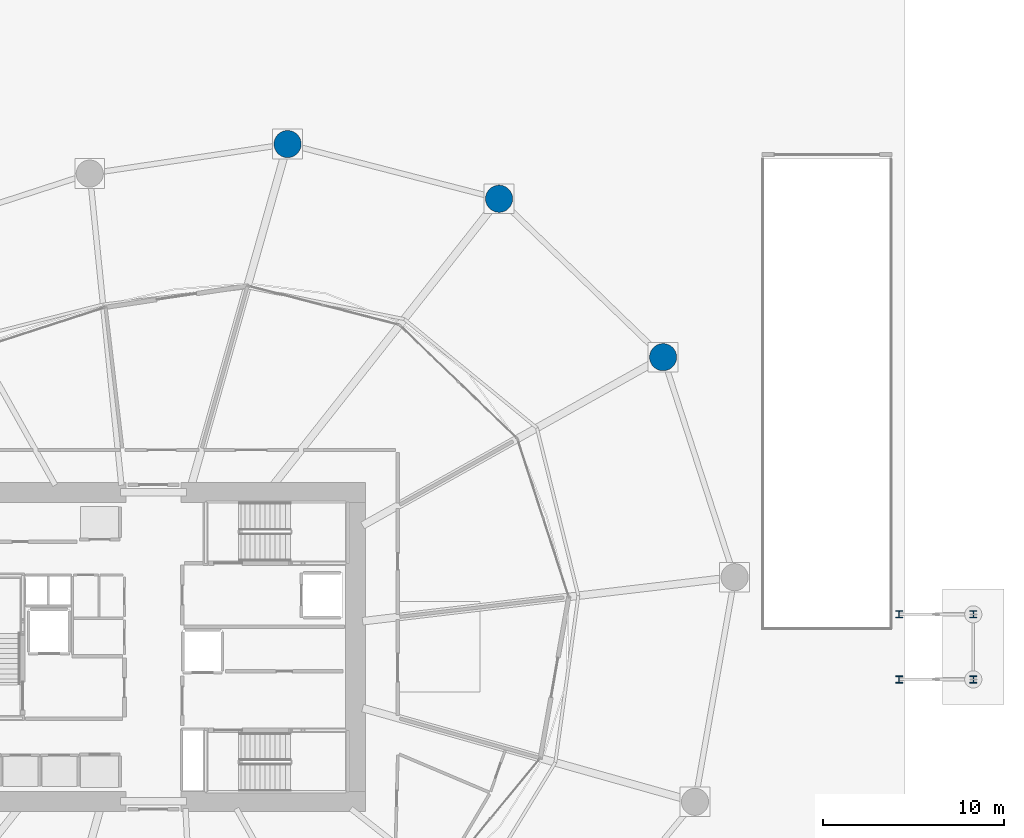
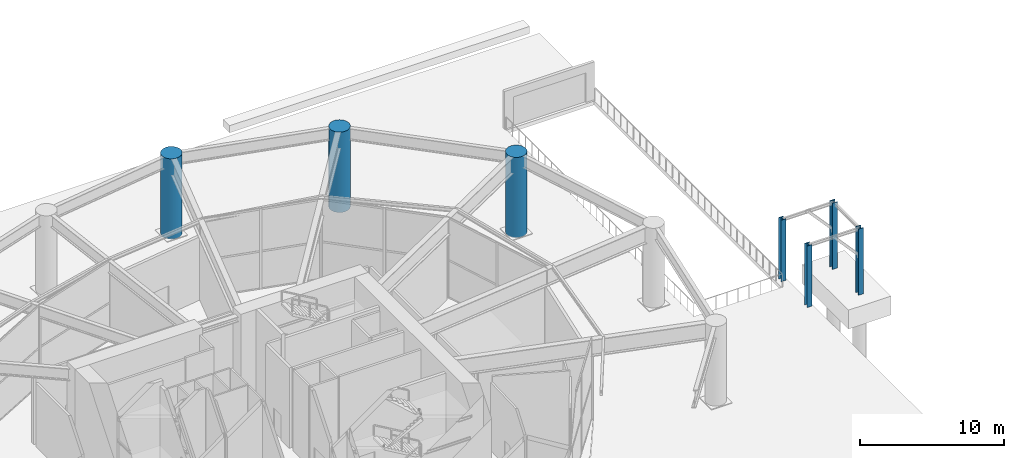
# One storey, part 5 of 28: 7 columns.
"""IFC4 building model written with IfcOpenShell, lengths in metres."""

import ifcopenshell
import ifcopenshell.guid

model = None  # the IFC model being written
_history = None  # IfcOwnerHistory: only IFC2X3 demands one
_inside = {}  # id of a spatial element -> (the spatial element, [elements in it])
_under = {}  # id of a project, library or spatial element -> (it, [spatial elements below it])
_declared = {}  # id of a project -> (the project, [libraries it declares])
_typed = {}  # id of a type object -> (the type object, [elements of that type])
_made_of = {}  # id of a material, layer set ... -> (it, [elements and type objects made of it])


def new_model(schema):
    """Start an empty IFC model of exactly this schema.

    Asked for "IFC4X3", IfcOpenShell would pick the latest addendum, in which some entities
    have other attributes; the version numbers below select the first issue.
    IFC2X3 requires an IfcOwnerHistory on every rooted entity: one is made here for all.
    """
    global model, _history
    if schema == "IFC4X3":
        model = ifcopenshell.file(schema_version=(4, 3, 0, 0))
    else:
        model = ifcopenshell.file(schema=schema)
    _inside.clear()
    _under.clear()
    _declared.clear()
    _typed.clear()
    _made_of.clear()
    _history = None
    if model.schema == "IFC2X3":
        org = make("IfcOrganization", Name="unknown")
        user = make(
            "IfcPersonAndOrganization",
            ThePerson=make("IfcPerson", FamilyName="unknown"),
            TheOrganization=org,
        )
        app = make(
            "IfcApplication",
            ApplicationDeveloper=org,
            Version="unknown",
            ApplicationFullName="unknown",
            ApplicationIdentifier="unknown",
        )
        _history = make(
            "IfcOwnerHistory",
            OwningUser=user,
            OwningApplication=app,
            ChangeAction="ADDED",
            CreationDate=0,
        )
    return model


def make(cls, **values):
    """One entity of the class cls with the attributes given. An attribute that is None is left unset."""
    return model.create_entity(
        cls, **{name: value for name, value in values.items() if value is not None}
    )


def rooted(cls, **values):
    """An entity with a GlobalId (a new one), such as an element, a storey or a relation."""
    return make(cls, GlobalId=ifcopenshell.guid.new(), OwnerHistory=_history, **values)


def si_unit(unit_type, name, prefix=None):
    """IfcSIUnit, for example si_unit("LENGTHUNIT", "METRE", prefix="MILLI")."""
    return make("IfcSIUnit", UnitType=unit_type, Prefix=prefix, Name=name)


def assignment(units):
    """IfcUnitAssignment: the units of a project."""
    return None if units is None else make("IfcUnitAssignment", Units=units)


def point(xyz):
    """IfcCartesianPoint."""
    return None if xyz is None else make("IfcCartesianPoint", Coordinates=xyz)


def direction(xyz):
    """IfcDirection."""
    return None if xyz is None else make("IfcDirection", DirectionRatios=xyz)


def frame(location, z_axis=None, x_axis=None):
    """IfcAxis2Placement3D, a coordinate frame: its origin and axes. An axis left out is left unset."""
    return make(
        "IfcAxis2Placement3D",
        Location=point(location),
        Axis=direction(z_axis),
        RefDirection=direction(x_axis),
    )


def frame_2d(location, x_axis=None):
    """IfcAxis2Placement2D, a coordinate frame in the plane: its origin and x axis."""
    return make(
        "IfcAxis2Placement2D", Location=point(location), RefDirection=direction(x_axis)
    )


def origin():
    """The frame at (0, 0, 0) with its axes left unset."""
    return frame((0.0, 0.0, 0.0))


def origin_2d():
    """The frame at (0, 0) in the plane with its x axis left unset."""
    return frame_2d((0.0, 0.0))


def place(relative_to, where):
    """IfcLocalPlacement: puts the frame where relative to a parent placement (None: the world)."""
    return make(
        "IfcLocalPlacement", PlacementRelTo=relative_to, RelativePlacement=where
    )


def context(
    kind, dimensions, precision=None, world=None, true_north=None, identifier=None
):
    """IfcGeometricRepresentationContext, for example the 3D "Model" context."""
    return make(
        "IfcGeometricRepresentationContext",
        ContextIdentifier=identifier,
        ContextType=kind,
        CoordinateSpaceDimension=dimensions,
        Precision=precision,
        WorldCoordinateSystem=world,
        TrueNorth=true_north,
    )


def subcontext(parent, identifier, kind, view, scale=None):
    """IfcGeometricRepresentationSubContext, for example "Body" below "Model"."""
    return make(
        "IfcGeometricRepresentationSubContext",
        ContextIdentifier=identifier,
        ContextType=kind,
        ParentContext=parent,
        TargetScale=scale,
        TargetView=view,
    )


def project(units=None, contexts=None):
    """IfcProject with its units and contexts."""
    return rooted(
        "IfcProject",
        Name="project",
        RepresentationContexts=contexts,
        UnitsInContext=assignment(units),
    )


def spatial(cls, under=None, at=None, **own):
    """A site, building, storey or space (cls), placed at a placement, below another one or the project."""
    s = rooted(cls, ObjectPlacement=at, **own)
    if under is not None:
        _under.setdefault(under.id(), (under, []))[1].append(s)
    return s


def profile(cls, at=None, kind="AREA", **sizes):
    """A parametric profile (cls). Its sizes go by their IFC names, for example OverallWidth=200.0."""
    return make(cls, ProfileType=kind, Position=at, **sizes)


def circle(**sizes):
    """IfcCircleProfileDef."""
    return profile("IfcCircleProfileDef", **sizes)


def i_section(**sizes):
    """IfcIShapeProfileDef."""
    return profile("IfcIShapeProfileDef", **sizes)


def extrude(swept, where, along, depth):
    """IfcExtrudedAreaSolid: the profile swept, set in the frame where, extruded along a direction by depth."""
    return make(
        "IfcExtrudedAreaSolid",
        SweptArea=swept,
        Position=where,
        ExtrudedDirection=direction(along),
        Depth=depth,
    )


def shape(context_of_items, identifier, shape_type, items):
    """IfcShapeRepresentation: the items that make up one representation, for example the "Body"."""
    return make(
        "IfcShapeRepresentation",
        ContextOfItems=context_of_items,
        RepresentationIdentifier=identifier,
        RepresentationType=shape_type,
        Items=items,
    )


def material(Name=None, Category=None):
    """IfcMaterial."""
    return make("IfcMaterial", Name=Name, Category=Category)


def material_profile(
    of_material, cross_section, Name=None, Category=None, Priority=None
):
    """IfcMaterialProfile: a cross section and its material."""
    return make(
        "IfcMaterialProfile",
        Name=Name,
        Material=of_material,
        Profile=cross_section,
        Priority=Priority,
        Category=Category,
    )


def profile_set(profiles, Name=None, composite=None):
    """IfcMaterialProfileSet."""
    return make(
        "IfcMaterialProfileSet",
        Name=Name,
        MaterialProfiles=profiles,
        CompositeProfile=composite,
    )


def made_of(thing, what):
    """Note that an element or type object is made of a material, layer set ...; save() writes the relation."""
    if what is not None:
        _made_of.setdefault(what.id(), (what, []))[1].append(thing)
    return thing


def type_object(cls, material=None, **own):
    """A type object (cls), such as IfcWallType, which elements share."""
    return made_of(rooted(cls, **own), material)


def element(
    cls,
    number,
    at=None,
    inside=None,
    cuts=None,
    type_object=None,
    material=None,
    context=None,
    identifier="Body",
    shape_type=None,
    held_by="IfcProductDefinitionShape",
    body=None,
    shapes=None,
    **own,
):
    """One element of the class cls, such as IfcWall. Its Tag is "e" and its number.

    at: its placement. inside: the storey or other place that contains it. cuts: it is an
    opening in that element (IfcRelVoidsElement). A single representation is given by context,
    identifier, shape_type and body (its items); several are given by shapes. held_by: the class
    of the entity that holds the representations. save() writes the other relations.
    """
    e = rooted(cls, Tag="e%d" % number, ObjectPlacement=at, **own)
    if body is not None:
        shapes = [shape(context, identifier, shape_type, body)]
    if shapes is not None:
        e.Representation = make(held_by, Representations=shapes)
    if inside is not None:
        _inside.setdefault(inside.id(), (inside, []))[1].append(e)
    if cuts is not None:
        rooted(
            "IfcRelVoidsElement", RelatingBuildingElement=cuts, RelatedOpeningElement=e
        )
    if type_object is not None:
        _typed.setdefault(type_object.id(), (type_object, []))[1].append(e)
    return made_of(e, material)


def aggregate(whole, parts):
    """IfcRelAggregates: a whole, such as a stair, and the parts it consists of."""
    return rooted("IfcRelAggregates", RelatingObject=whole, RelatedObjects=parts)


def save(model, path):
    """Write the relations noted so far, then the file.

    IfcRelAggregates (storeys below a building ...), IfcRelContainedInSpatialStructure (elements
    in a storey), IfcRelDefinesByType, IfcRelAssociatesMaterial and IfcRelDeclares: one each for
    every whole, place, type object, material and project.
    """
    for whole, parts in _under.values():
        aggregate(whole, parts)
    for where, things in _inside.values():
        rooted(
            "IfcRelContainedInSpatialStructure",
            RelatedElements=things,
            RelatingStructure=where,
        )
    for kind, things in _typed.values():
        rooted("IfcRelDefinesByType", RelatedObjects=things, RelatingType=kind)
    for what, things in _made_of.values():
        rooted("IfcRelAssociatesMaterial", RelatedObjects=things, RelatingMaterial=what)
    for by, libraries in _declared.values():
        rooted("IfcRelDeclares", RelatingContext=by, RelatedDefinitions=libraries)
    model.write(path)


model = new_model("IFC4")

# Units and contexts
model_context = context("Model", 3, precision=1e-05, world=origin(), true_north=direction((0.0, 1.0)))
body_context = subcontext(model_context, "Body", "Model", "MODEL_VIEW")
ifc_project = project(units=[si_unit("LENGTHUNIT", "METRE"), si_unit("AREAUNIT", "SQUARE_METRE"), si_unit("VOLUMEUNIT", "CUBIC_METRE"), si_unit("PLANEANGLEUNIT", "RADIAN"), si_unit("MASSUNIT", "GRAM", prefix="KILO")], contexts=[model_context])

# Site, building, storey
site_placement = place(None, origin())
site = spatial("IfcSite", under=ifc_project, at=site_placement, CompositionType="ELEMENT")
building_placement = place(site_placement, origin())
building = spatial("IfcBuilding", under=site, at=building_placement, Name="Kazma Halo Residences", CompositionType="ELEMENT")
storey_placement = place(building_placement, origin())
storey = spatial("IfcBuildingStorey", under=building, at=storey_placement, Name="L00", CompositionType="ELEMENT", Elevation=0.0)

# Columns
ifc_material_1 = material(Name="Concrete C80/95", Category="concrete")
ifc_material_profile_1 = material_profile(ifc_material_1, circle(Radius=0.75, at=origin_2d()), Name="CIRC1500")
ifc_profile_set_1 = profile_set([ifc_material_profile_1], Name="Concrete C80/95")
column_type_1 = type_object("IfcColumnType", Name="COL-PILOTIS-1500", PredefinedType="COLUMN", material=ifc_profile_set_1)
for number, where, z_axis, x_axis, name in (
    (1, (76.6328125, 58.03515625, 0.0), (0.0, 0.0, 1.0), (1.0, 0.0, 0.0), "L00 open pilotis stilt column P01"),
    (2, (67.55322265625, 66.80322265625, 0.0), (0.0, 0.0, 1.0), (1.0, 0.0, 0.0), "L00 open pilotis stilt column P02"),
    (3, (55.84912109375, 69.831298828125, 0.0), (0.0, 0.0, 1.0), (1.0, 0.0, 0.0), "L00 open pilotis stilt column P03"),
):
    element("IfcColumn", number, at=place(storey_placement, frame(where, z_axis=z_axis, x_axis=x_axis)), inside=storey, type_object=column_type_1, Name=name, PredefinedType="COLUMN", context=body_context, shape_type="SweptSolid", body=[
        extrude(circle(Radius=0.75, at=origin_2d()), origin(), (0.0, 0.0, 1.0), 6.800048828125),
    ])
ifc_material_2 = material(Name="Steel S355", Category="steel")
ifc_material_profile_2 = material_profile(ifc_material_2, i_section(OverallWidth=0.40087890625, OverallDepth=0.39892578125, WebThickness=0.02490234375, FlangeThickness=0.03955078125, FilletRadius=0.02001953125, at=origin_2d()), Name="W360x314")
ifc_profile_set_2 = profile_set([ifc_material_profile_2], Name="Steel S355")
column_type_2 = type_object("IfcColumnType", Name="COL-STL-W360", PredefinedType="COLUMN", material=ifc_profile_set_2)
for number, where, z_axis, x_axis, name in (
    (4, (93.800048828125, 40.199951171875, -0.39990234375), (0.0, 0.0, 1.0), (1.0, 0.0, 0.0), "Porte-cochere steel column 2.1"),
    (5, (93.800048828125, 43.800048828125, -0.39990234375), (0.0, 0.0, 1.0), (1.0, 0.0, 0.0), "Porte-cochere steel column 2.2"),
):
    element("IfcColumn", number, at=place(storey_placement, frame(where, z_axis=z_axis, x_axis=x_axis)), inside=storey, type_object=column_type_2, Name=name, PredefinedType="COLUMN", context=body_context, shape_type="SweptSolid", body=[
        extrude(i_section(OverallWidth=0.40087890625, OverallDepth=0.39892578125, WebThickness=0.02490234375, FlangeThickness=0.03955078125, FilletRadius=0.02001953125, at=origin_2d()), origin(), (0.0, 0.0, 1.0), 5.599853515625),
    ])
for number, where, z_axis, x_axis, name in (
    (6, (89.699951171875, 40.199951171875, 0.0), (0.0, 0.0, 1.0), (1.0, 0.0, 0.0), "Porte-cochere inner column 2.1"),
    (7, (89.699951171875, 43.800048828125, 0.0), (0.0, 0.0, 1.0), (1.0, 0.0, 0.0), "Porte-cochere inner column 2.2"),
):
    element("IfcColumn", number, at=place(storey_placement, frame(where, z_axis=z_axis, x_axis=x_axis)), inside=storey, type_object=column_type_2, Name=name, PredefinedType="COLUMN", context=body_context, shape_type="SweptSolid", body=[
        extrude(i_section(OverallWidth=0.40087890625, OverallDepth=0.39892578125, WebThickness=0.02490234375, FlangeThickness=0.03955078125, FilletRadius=0.02001953125, at=origin_2d()), origin(), (0.0, 0.0, 1.0), 5.199951171875),
    ])

save(model, "model.ifc")
